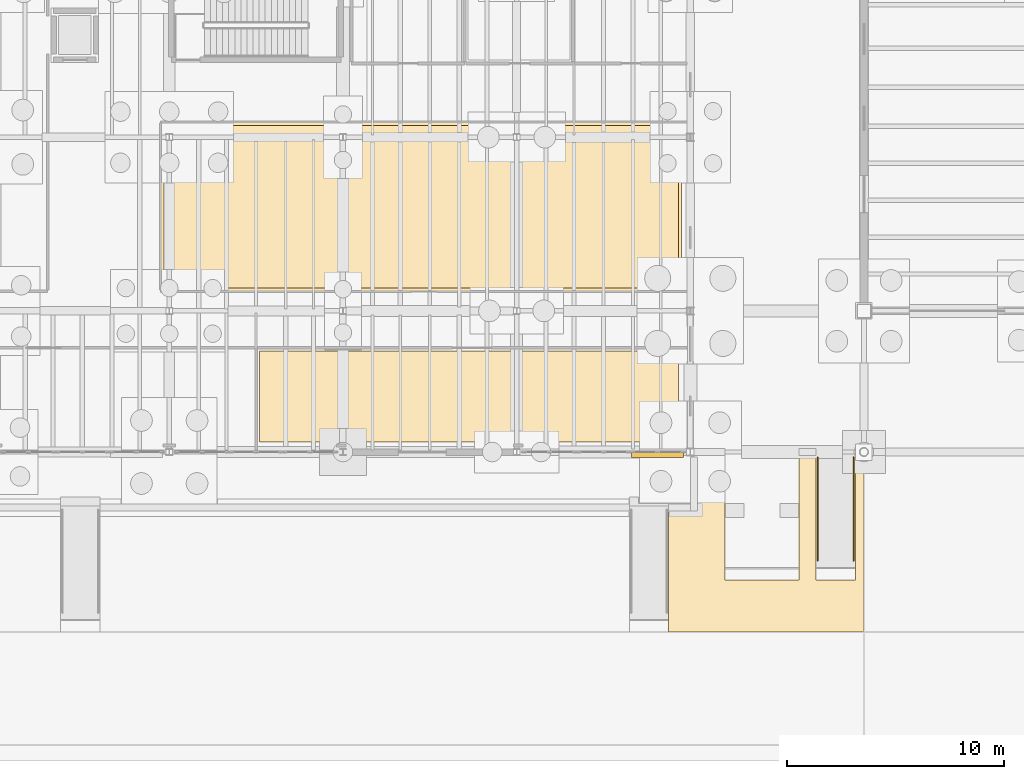
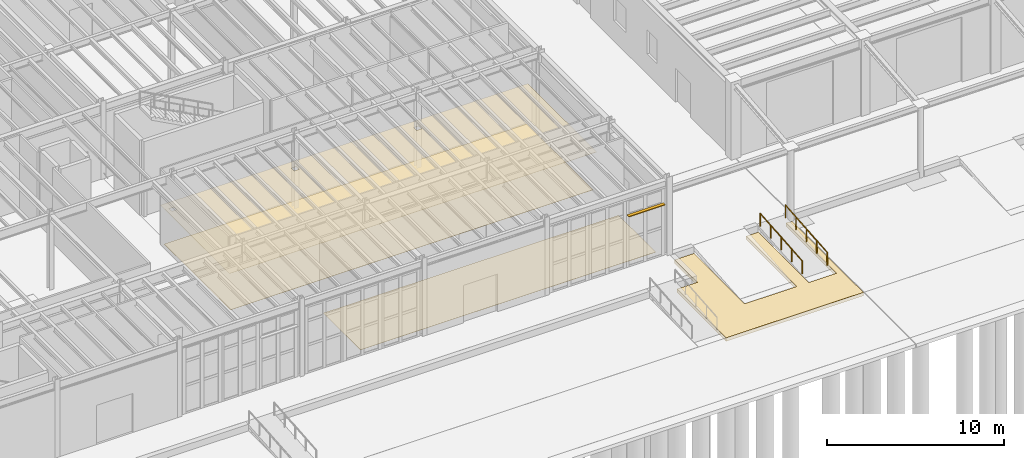
# One storey, part 75 of 86: 4 coverings, 2 railings, 1 shading device.
"""IFC4 building model written with IfcOpenShell, lengths in metres."""

from ifc_helpers import new_model, si_unit, direction, frame, origin, origin_2d, place, context, subcontext, project, spatial, polyline, rectangle, circle, outline, extrude, material, layer, layer_set, type_object, element, save


model = new_model("IFC4")

# Units and contexts
model_context = context("Model", 3, precision=1e-05, world=origin(), true_north=direction((0.0, 1.0)))
body_context = subcontext(model_context, "Body", "Model", "MODEL_VIEW")
ifc_project = project(units=[si_unit("LENGTHUNIT", "METRE"), si_unit("AREAUNIT", "SQUARE_METRE"), si_unit("VOLUMEUNIT", "CUBIC_METRE"), si_unit("PLANEANGLEUNIT", "RADIAN"), si_unit("MASSUNIT", "GRAM", prefix="KILO"), si_unit("THERMODYNAMICTEMPERATUREUNIT", "KELVIN"), si_unit("POWERUNIT", "WATT")], contexts=[model_context])

# Site, building, storey
site_placement = place(None, origin())
site = spatial("IfcSite", under=ifc_project, at=site_placement, CompositionType="ELEMENT")
building_placement = place(site_placement, origin())
building = spatial("IfcBuilding", under=site, at=building_placement, Name="Zhenchuan Central Fire Station", CompositionType="ELEMENT")
storey_placement = place(building_placement, frame((0.0, 0.0, 0.449951171875)))
storey = spatial("IfcBuildingStorey", under=building, at=storey_placement, Name="L01", CompositionType="ELEMENT", Elevation=0.449951171875)

# Coverings
ifc_material_1 = material(Name="Gypsum plasterboard acoustic ceiling", Category="gypsum")
ifc_layer_1 = layer(ifc_material_1, 0.01806640625, Name="Gypsum plasterboard acoustic ceiling", Category="gypsum")
ifc_layer_set_1 = layer_set([ifc_layer_1], Name="Gypsum plasterboard acoustic ceiling")
covering_type_1 = type_object("IfcCoveringType", Name="COV-CEIL-GYP", PredefinedType="CEILING", material=ifc_layer_set_1)
covering_1_placement = place(storey_placement, frame((0.0, 0.0, 2.650146484375)))
element("IfcCovering", 1, at=covering_1_placement, inside=storey, type_object=covering_type_1, Name="Public Safety Seminar Classroom Acoustic Ceiling", PredefinedType="CEILING", context=body_context, shape_type="SweptSolid", body=[
    extrude(outline(polyline([(23.60009765625, 7.39990234375), (23.60009765625, 15.199951171875), (47.60009765625, 15.199951171875), (47.60009765625, 7.39990234375), (23.60009765625, 7.39990234375)]), holes=[polyline([(24.155029296875, 14.344970703125), (24.155029296875, 14.655029296875), (23.844970703125, 14.655029296875), (23.844970703125, 14.344970703125), (24.155029296875, 14.344970703125)]), polyline([(31.844970703125, 14.344970703125), (32.155029296875, 14.344970703125), (32.155029296875, 14.655029296875), (31.844970703125, 14.655029296875), (31.844970703125, 14.344970703125)]), polyline([(39.844970703125, 14.344970703125), (40.155029296875, 14.344970703125), (40.155029296875, 14.655029296875), (39.844970703125, 14.655029296875), (39.844970703125, 14.344970703125)])]), origin(), (0.0, 0.0, 1.0), 0.017822265625),
])
ifc_material_2 = material(Name="Heavy-duty slip-resistant ceramic tile flooring")
ifc_layer_2 = layer(ifc_material_2, 0.014892578125, Name="Heavy-duty slip-resistant ceramic tile flooring")
ifc_layer_set_2 = layer_set([ifc_layer_2], Name="Heavy-duty slip-resistant ceramic tile flooring")
covering_type_2 = type_object("IfcCoveringType", Name="COV-FLR-RES", PredefinedType="FLOORING", material=ifc_layer_set_2)
covering_2_placement = place(storey_placement, origin())
element("IfcCovering", 2, at=covering_2_placement, inside=storey, type_object=covering_type_2, Name="Community Safety Cafe Ceramic Tile Flooring", PredefinedType="FLOORING", context=body_context, shape_type="SweptSolid", body=[
    extrude(outline(polyline([(28.14990234375, 0.449951171875), (47.449951171875, 0.449951171875), (47.449951171875, 4.64990234375), (28.14990234375, 4.64990234375), (28.14990234375, 0.449951171875)])), origin(), (0.0, 0.0, 1.0), 0.01513671875),
])
covering_3_placement = place(storey_placement, origin())
element("IfcCovering", 3, at=covering_3_placement, inside=storey, type_object=covering_type_2, Name="Public Safety Seminar Classroom Ceramic Tile Flooring", PredefinedType="FLOORING", context=body_context, shape_type="SweptSolid", body=[
    extrude(outline(polyline([(23.75, 7.550048828125), (47.449951171875, 7.550048828125), (47.449951171875, 15.050048828125), (23.75, 15.050048828125), (23.75, 7.550048828125)])), origin(), (0.0, 0.0, 1.0), 0.01513671875),
])
ifc_material_3 = material(Name="Granite stone boulevard paving", Category="masonry")
ifc_layer_3 = layer(ifc_material_3, 0.239990234375, Name="Granite stone boulevard paving", Category="masonry")
ifc_layer_set_3 = layer_set([ifc_layer_3], Name="Granite stone boulevard paving")
covering_type_3 = type_object("IfcCoveringType", Name="COV-SITE-PAV", PredefinedType="FLOORING", material=ifc_layer_set_3)
covering_4_placement = place(storey_placement, frame((0.0, 0.0, -0.68994140625)))
element("IfcCovering", 4, at=covering_4_placement, inside=storey, type_object=covering_type_3, Name="Zhenchuan Boulevard Grade Paving Zone W-04", PredefinedType="FLOORING", context=body_context, shape_type="SweptSolid", body=[
    extrude(outline(polyline([(55.97509765625, -8.2958984375), (47.006103515625, -8.2958984375), (47.006103515625, -2.72998046875), (48.330078125, -2.72998046875), (48.330078125, -0.169921875), (49.593994140625, -0.169921875), (49.593994140625, -5.906005859375), (53.006103515625, -5.906005859375), (53.006103515625, -0.169921875), (53.7939453125, -0.169921875), (53.7939453125, -5.906005859375), (55.60595703125, -5.906005859375), (55.60595703125, -0.169921875), (55.790771484375, -0.169921875), (55.790771484375, -0.209228515625), (55.97509765625, -0.209228515625), (55.97509765625, -8.2958984375)])), origin(), (0.0, 0.0, 1.0), 0.239990234375),
])

# Railings
ifc_material_4 = material(Name="Galvanised powder-coated steel", Category="steel")
railing_type = type_object("IfcRailingType", Name="RL-RMP-HND", PredefinedType="HANDRAIL", material=ifc_material_4)
for number, where, name in (
    (5, (53.8798828125, -5.0, -0.416748046875), "Canopy Forecourt Accessible Ramp RP-06 Handrail L"),
    (6, (55.52001953125, -5.0, -0.416748046875), "Canopy Forecourt Accessible Ramp RP-06 Handrail R"),
):
    element("IfcRailing", number, at=place(storey_placement, frame(where)), inside=storey, type_object=railing_type, Name=name, PredefinedType="HANDRAIL", context=body_context, shape_type="SweptSolid", body=[
        extrude(circle(Radius=0.02392578125, at=origin_2d()), frame((0.0, 0.0, 0.8759765625), z_axis=(0.0, 0.996542931718, 0.083079391203), x_axis=(-1.0, 0.0, 0.0)), (0.0, 0.0, 1.0), 4.766357421875),
        extrude(circle(Radius=0.02099609375, at=origin_2d()), origin(), (0.0, 0.0, 1.0), 0.851806640625),
        extrude(circle(Radius=0.02099609375, at=origin_2d()), frame((0.0, 1.1875, 0.09912109375)), (0.0, 0.0, 1.0), 0.851806640625),
        extrude(circle(Radius=0.02099609375, at=origin_2d()), frame((0.0, 2.375, 0.197998046875)), (0.0, 0.0, 1.0), 0.851806640625),
        extrude(circle(Radius=0.02099609375, at=origin_2d()), frame((0.0, 3.5625, 0.296875)), (0.0, 0.0, 1.0), 0.851806640625),
        extrude(circle(Radius=0.02099609375, at=origin_2d()), frame((0.0, 4.75, 0.39599609375)), (0.0, 0.0, 1.0), 0.851806640625),
    ])

# Shading device
ifc_material_5 = material(Name="Anodised aluminium EN AW-6063", Category="aluminium")
ifc_layer_4 = layer(ifc_material_5, 0.0400390625, Name="Anodised aluminium EN AW-6063", Category="aluminium")
ifc_layer_set_4 = layer_set([ifc_layer_4], Name="Anodised aluminium EN AW-6063")
shading_device_type = type_object("IfcShadingDeviceType", Name="SHD-ALU-FIN", PredefinedType="JALOUSIE", material=ifc_layer_set_4)
shading_device_placement = place(storey_placement, frame((46.485595703125, -0.1435546875, 3.6044921875), z_axis=(0.0, 0.0, 1.0), x_axis=(1.0, 0.0, 0.0)))
element("IfcShadingDevice", 7, at=shading_device_placement, inside=storey, type_object=shading_device_type, Name="Perforated Aluminium Sun-Shading Louvre 002", PredefinedType="JALOUSIE", context=body_context, shape_type="SweptSolid", body=[
    extrude(rectangle(XDim=2.388671875, YDim=0.219970703125, at=origin_2d()), origin(), (0.0, 0.0, 1.0), 0.044921875),
])

save(model, "model.ifc")
